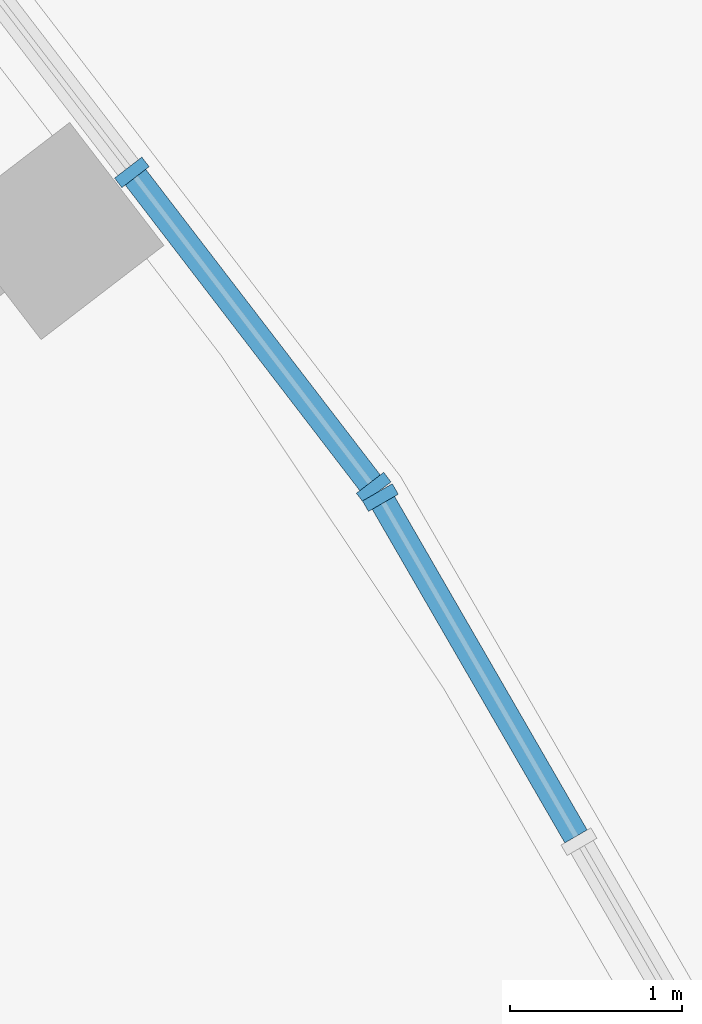
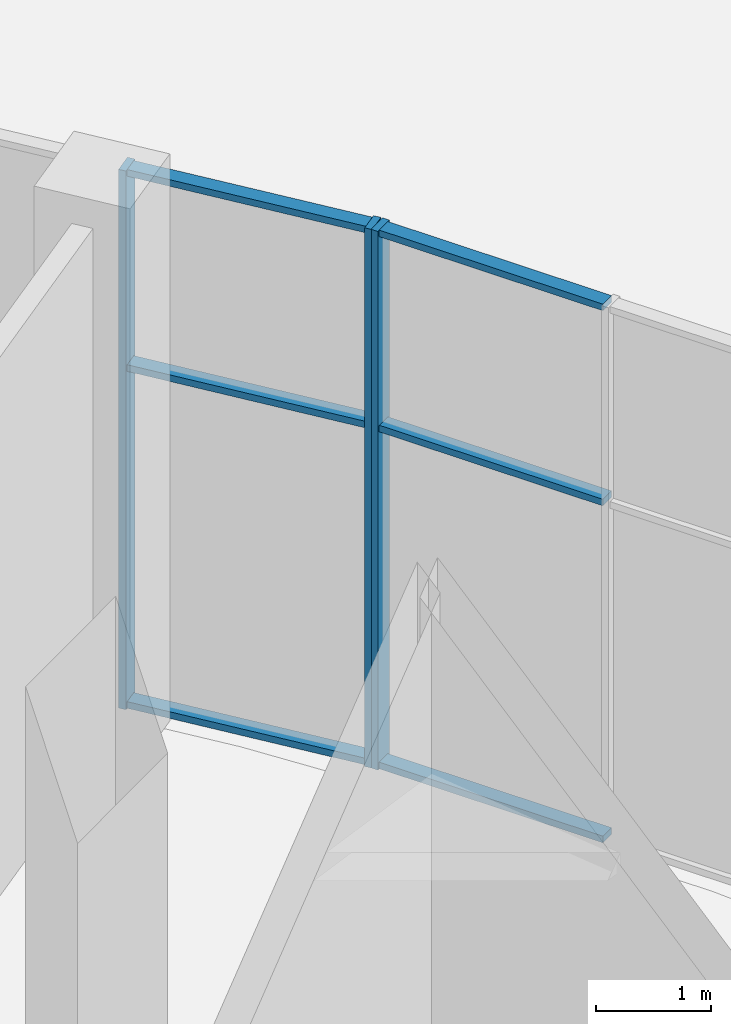
# One storey, part 5 of 19: 9 members, 2 elements without a shape of their own.
"""IFC4 building model written with IfcOpenShell, lengths in metres."""

from ifc_helpers import new_model, si_unit, direction, frame, origin, origin_2d, place, context, subcontext, project, spatial, rectangle, extrude, material, material_profile, profile_set, type_object, element, aggregate, save


model = new_model("IFC4")

# Units and contexts
model_context = context("Model", 3, precision=1e-05, world=origin(), true_north=direction((0.0, 1.0)))
body_context = subcontext(model_context, "Body", "Model", "MODEL_VIEW")
ifc_project = project(units=[si_unit("LENGTHUNIT", "METRE"), si_unit("AREAUNIT", "SQUARE_METRE"), si_unit("VOLUMEUNIT", "CUBIC_METRE"), si_unit("PLANEANGLEUNIT", "RADIAN"), si_unit("MASSUNIT", "GRAM", prefix="KILO")], contexts=[model_context])

# Site, building, storey
site_placement = place(None, origin())
site = spatial("IfcSite", under=ifc_project, at=site_placement, CompositionType="ELEMENT")
building_placement = place(site_placement, origin())
building = spatial("IfcBuilding", under=site, at=building_placement, Name="Golbaran Civic Tower", CompositionType="ELEMENT")
storey_placement = place(building_placement, origin())
storey = spatial("IfcBuildingStorey", under=building, at=storey_placement, Name="L00", CompositionType="ELEMENT", Elevation=0.0)

# Curtain wall, member
ifc_material_1 = material(Name="Aluminium and glass", Category="aluminium")
curtain_wall_type = type_object("IfcCurtainWallType", Name="PODIUM GLAZED SCREEN", PredefinedType="NOTDEFINED", material=ifc_material_1)
curtain_wall_1_placement = place(storey_placement, origin())
curtain_wall_1 = element("IfcCurtainWall", 1, at=curtain_wall_1_placement, inside=storey, type_object=curtain_wall_type, Name="Public service hall screen facet 4 CW5", ObjectType="PODIUM SCREEN", PredefinedType="USERDEFINED")
ifc_material_2 = material(Name="Aluminium", Category="aluminium")
ifc_material_profile_1 = material_profile(ifc_material_2, rectangle(XDim=0.199951171875, YDim=0.070068359375, at=origin_2d()), Name="PODIUM GLAZED SCREEN MULLION")
ifc_profile_set_1 = profile_set([ifc_material_profile_1], Name="Aluminium")
member_type_1 = type_object("IfcMemberType", Name="PODIUM GLAZED SCREEN MULLION", PredefinedType="MULLION", material=ifc_profile_set_1)
member_1_placement = place(storey_placement, frame((29.814697265625, 19.87939453125, 0.0), z_axis=(0.0, 0.0, 1.0), x_axis=(-0.866025403846, -0.499999999894, 0.0)))
member_1 = element("IfcMember", 2, at=member_1_placement, type_object=member_type_1, Name="CW5 mullion 3", PredefinedType="MULLION", context=body_context, shape_type="SweptSolid", body=[
    extrude(rectangle(XDim=0.199951171875, YDim=0.070068359375, at=origin_2d()), origin(), (0.0, 0.0, 1.0), 5.699951171875),
])

# Curtain wall, members
curtain_wall_2_placement = place(storey_placement, origin())
curtain_wall_2 = element("IfcCurtainWall", 3, at=curtain_wall_2_placement, inside=storey, type_object=curtain_wall_type, Name="Public service hall screen facet 5 CW5", ObjectType="PODIUM SCREEN", PredefinedType="USERDEFINED")
member_2_placement = place(storey_placement, frame((29.77587890625, 19.9375, 0.0), z_axis=(0.0, 0.0, 1.0), x_axis=(-0.793353340238, -0.608761429078, 0.0)))
member_2 = element("IfcMember", 4, at=member_2_placement, type_object=member_type_1, Name="CW5 mullion 1", PredefinedType="MULLION", context=body_context, shape_type="SweptSolid", body=[
    extrude(rectangle(XDim=0.199951171875, YDim=0.070068359375, at=origin_2d()), origin(), (0.0, 0.0, 1.0), 5.699951171875),
])
member_3_placement = place(storey_placement, frame((28.370361328125, 21.769287109375, 0.0), z_axis=(0.0, 0.0, 1.0), x_axis=(-0.793353340238, -0.608761429078, 0.0)))
member_3 = element("IfcMember", 5, at=member_3_placement, type_object=member_type_1, Name="CW5 mullion 2", PredefinedType="MULLION", context=body_context, shape_type="SweptSolid", body=[
    extrude(rectangle(XDim=0.199951171875, YDim=0.070068359375, at=origin_2d()), origin(), (0.0, 0.0, 1.0), 5.699951171875),
])

# Member
ifc_material_profile_2 = material_profile(ifc_material_2, rectangle(XDim=0.14990234375, YDim=0.070068359375, at=origin_2d()), Name="PODIUM GLAZED SCREEN TRANSOM")
ifc_profile_set_2 = profile_set([ifc_material_profile_2], Name="Aluminium")
member_type_2 = type_object("IfcMemberType", Name="PODIUM GLAZED SCREEN TRANSOM", PredefinedType="USERDEFINED", material=ifc_profile_set_2)
member_4_placement = place(storey_placement, frame((30.95166015625, 17.910400390625, 0.034912109375), z_axis=(-0.500103172368, 0.865965828995, 0.0), x_axis=(-0.865965828995, -0.500103172368, 0.0)))
member_4 = element("IfcMember", 6, at=member_4_placement, type_object=member_type_2, Name="CW5 transom 2.1", ObjectType="TRANSOM", PredefinedType="USERDEFINED", context=body_context, shape_type="SweptSolid", body=[
    extrude(rectangle(XDim=0.14990234375, YDim=0.070068359375, at=origin_2d()), origin(), (0.0, 0.0, 1.0), 2.23876953125),
])

member_5_placement = place(storey_placement, frame((30.95166015625, 17.910400390625, 3.60009765625), z_axis=(-0.500103172368, 0.865965828995, 0.0), x_axis=(-0.865965828995, -0.500103172368, 0.0)))
member_5 = element("IfcMember", 7, at=member_5_placement, type_object=member_type_2, Name="CW5 transom 2.2", ObjectType="TRANSOM", PredefinedType="USERDEFINED", context=body_context, shape_type="SweptSolid", body=[
    extrude(rectangle(XDim=0.14990234375, YDim=0.070068359375, at=origin_2d()), origin(), (0.0, 0.0, 1.0), 2.23876953125),
])

member_6_placement = place(storey_placement, frame((30.95166015625, 17.910400390625, 5.6650390625), z_axis=(-0.500103172368, 0.865965828995, 0.0), x_axis=(-0.865965828995, -0.500103172368, 0.0)))
member_6 = element("IfcMember", 8, at=member_6_placement, type_object=member_type_2, Name="CW5 transom 2.3", ObjectType="TRANSOM", PredefinedType="USERDEFINED", context=body_context, shape_type="SweptSolid", body=[
    extrude(rectangle(XDim=0.14990234375, YDim=0.070068359375, at=origin_2d()), origin(), (0.0, 0.0, 1.0), 2.23876953125),
])

aggregate(curtain_wall_1, [member_1, member_4, member_5, member_6])

member_7_placement = place(storey_placement, frame((29.754638671875, 19.96533203125, 0.034912109375), z_axis=(-0.608809209153, 0.793316675011, 0.0), x_axis=(-0.793316675011, -0.608809209153, 0.0)))
member_7 = element("IfcMember", 9, at=member_7_placement, type_object=member_type_2, Name="CW5 transom 1.1", ObjectType="TRANSOM", PredefinedType="USERDEFINED", context=body_context, shape_type="SweptSolid", body=[
    extrude(rectangle(XDim=0.14990234375, YDim=0.070068359375, at=origin_2d()), origin(), (0.0, 0.0, 1.0), 2.23876953125),
])

member_8_placement = place(storey_placement, frame((29.754638671875, 19.96533203125, 3.60009765625), z_axis=(-0.608809209153, 0.793316675011, 0.0), x_axis=(-0.793316675011, -0.608809209153, 0.0)))
member_8 = element("IfcMember", 10, at=member_8_placement, type_object=member_type_2, Name="CW5 transom 1.2", ObjectType="TRANSOM", PredefinedType="USERDEFINED", context=body_context, shape_type="SweptSolid", body=[
    extrude(rectangle(XDim=0.14990234375, YDim=0.070068359375, at=origin_2d()), origin(), (0.0, 0.0, 1.0), 2.23876953125),
])

member_9_placement = place(storey_placement, frame((29.754638671875, 19.96533203125, 5.6650390625), z_axis=(-0.608809209153, 0.793316675011, 0.0), x_axis=(-0.793316675011, -0.608809209153, 0.0)))
member_9 = element("IfcMember", 11, at=member_9_placement, type_object=member_type_2, Name="CW5 transom 1.3", ObjectType="TRANSOM", PredefinedType="USERDEFINED", context=body_context, shape_type="SweptSolid", body=[
    extrude(rectangle(XDim=0.14990234375, YDim=0.070068359375, at=origin_2d()), origin(), (0.0, 0.0, 1.0), 2.23876953125),
])

aggregate(curtain_wall_2, [member_2, member_3, member_7, member_8, member_9])

save(model, "model.ifc")
